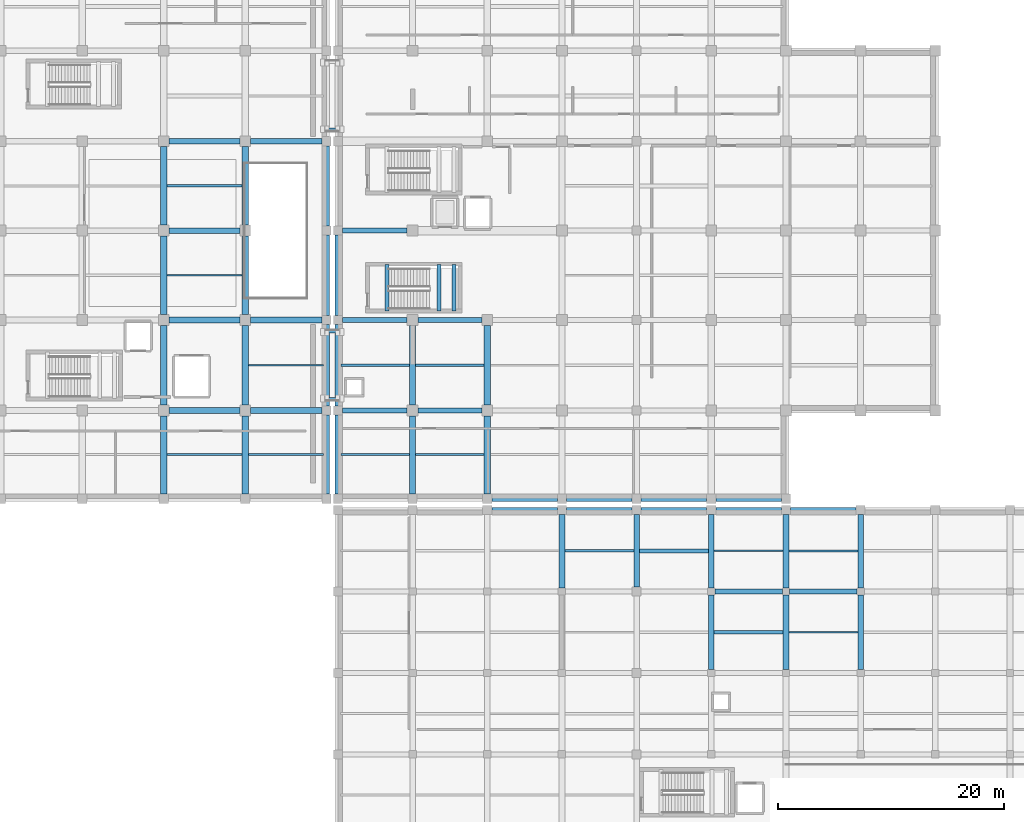
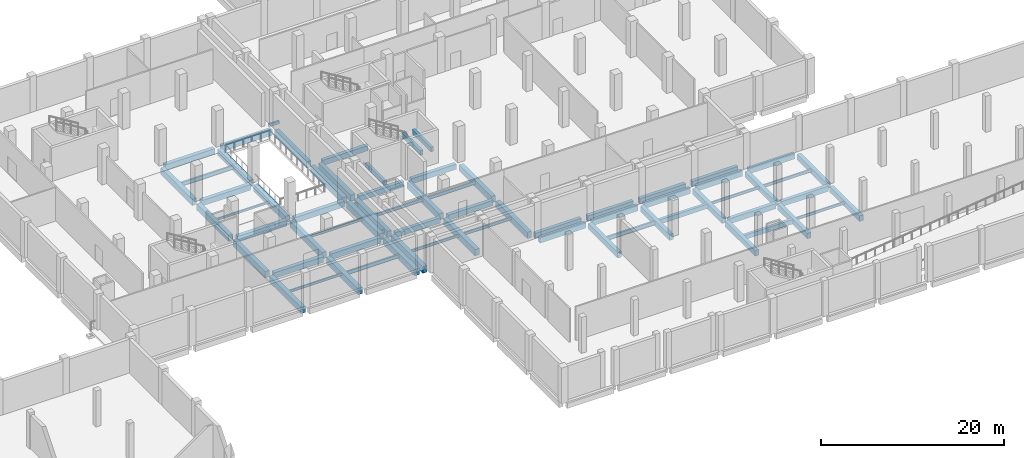
# One storey, part 5 of 31: 71 beams.
"""IFC4 building model written with IfcOpenShell, lengths in metres."""

from ifc_helpers import new_model, si_unit, direction, frame, origin, origin_2d, place, context, subcontext, project, spatial, rectangle, hollow_rectangle, i_section, extrude, material, material_profile, profile_set, type_object, element, save


model = new_model("IFC4")

# Units and contexts
model_context = context("Model", 3, precision=1e-05, world=origin(), true_north=direction((0.0, 1.0)))
body_context = subcontext(model_context, "Body", "Model", "MODEL_VIEW")
ifc_project = project(units=[si_unit("LENGTHUNIT", "METRE"), si_unit("AREAUNIT", "SQUARE_METRE"), si_unit("VOLUMEUNIT", "CUBIC_METRE"), si_unit("PLANEANGLEUNIT", "RADIAN"), si_unit("MASSUNIT", "GRAM", prefix="KILO")], contexts=[model_context])

# Site, building, storey
site_placement = place(None, origin())
site = spatial("IfcSite", under=ifc_project, at=site_placement, CompositionType="ELEMENT")
building_placement = place(site_placement, origin())
building = spatial("IfcBuilding", under=site, at=building_placement, Name="Kelarvand Opera House", CompositionType="ELEMENT")
storey_placement = place(building_placement, frame((0.0, 0.0, -4.800048828125)))
storey = spatial("IfcBuildingStorey", under=building, at=storey_placement, Name="B1", CompositionType="ELEMENT", Elevation=-4.800048828125)

# Beams
ifc_material_1 = material(Name="Concrete C35/45", Category="concrete")
ifc_material_profile_1 = material_profile(ifc_material_1, rectangle(XDim=0.35009765625, YDim=0.60009765625, at=origin_2d()), Name="RC 350x600", Category="concrete")
ifc_profile_set_1 = profile_set([ifc_material_profile_1], Name="Concrete C35/45")
beam_type_1 = type_object("IfcBeamType", Name="Structural Beam RC 350x600 BM-RC350x600", PredefinedType="BEAM", material=ifc_profile_set_1)
for number, where, z_axis, x_axis, name in (
    (1, (115.64990234375, 34.199951171875, -0.599853515625), (1.0, 0.0, 0.0), (0.0, 1.0, 0.0), "V6 B1 Beam BM-RC350x600"),
    (2, (122.25, 27.0, -0.599853515625), (1.0, 0.0, 0.0), (0.0, 1.0, 0.0), "V6 B1 Beam BM-RC350x600"),
):
    element("IfcBeam", number, at=place(storey_placement, frame(where, z_axis=z_axis, x_axis=x_axis)), inside=storey, type_object=beam_type_1, Name=name, PredefinedType="BEAM", context=body_context, shape_type="SweptSolid", body=[
        extrude(rectangle(XDim=0.35009765625, YDim=0.60009765625, at=origin_2d()), origin(), (0.0, 0.0, 1.0), 6.10009765625),
    ])
for number, where, z_axis, x_axis, name in (
    (3, (93.340087890625, 55.39990234375, -0.52001953125), (0.0, 1.0, 0.0), (-1.0, 0.0, 0.0), "C4 Stair Landing Support Beam B1"),
    (4, (97.949951171875, 55.39990234375, 1.900146484375), (0.0, 1.0, 0.0), (-1.0, 0.0, 0.0), "C4 Stair Half-Landing Beam 1 B1"),
    (5, (99.25, 55.39990234375, 1.900146484375), (0.0, 1.0, 0.0), (-1.0, 0.0, 0.0), "C4 Stair Half-Landing Beam 2 B1"),
):
    element("IfcBeam", number, at=place(storey_placement, frame(where, z_axis=z_axis, x_axis=x_axis)), inside=storey, type_object=beam_type_1, Name=name, PredefinedType="BEAM", context=body_context, shape_type="SweptSolid", body=[
        extrude(rectangle(XDim=0.35009765625, YDim=0.60009765625, at=origin_2d()), origin(), (0.0, 0.0, 1.0), 4.10009765625),
    ])
ifc_material_2 = material(Name="Concrete C40/50", Category="concrete")
ifc_material_profile_2 = material_profile(ifc_material_2, rectangle(XDim=0.449951171875, YDim=0.699951171875, at=origin_2d()), Name="RC 450x700", Category="concrete")
ifc_profile_set_2 = profile_set([ifc_material_profile_2], Name="Concrete C40/50")
beam_type_2 = type_object("IfcBeamType", Name="Structural Beam RC 450x700 BM-RC450x700", PredefinedType="BEAM", material=ifc_profile_set_2)
beam_1_placement = place(storey_placement, frame((102.610107421875, 38.800048828125, -0.64990234375), z_axis=(1.0, 0.0, 0.0), x_axis=(0.0, 1.0, 0.0)))
element("IfcBeam", 6, at=beam_1_placement, inside=storey, type_object=beam_type_2, Name="V1 B1 Beam BM-RC450x700", PredefinedType="BEAM", context=body_context, shape_type="SweptSolid", body=[
    extrude(rectangle(XDim=0.449951171875, YDim=0.699951171875, at=origin_2d()), origin(), (0.0, 0.0, 1.0), 5.77978515625),
])
for number, where, z_axis, x_axis, name in (
    (7, (109.2099609375, 38.800048828125, -0.64990234375), (1.0, 0.0, 0.0), (0.0, 1.0, 0.0), "V1 B1 Beam BM-RC450x700"),
    (8, (115.81005859375, 38.800048828125, -0.64990234375), (1.0, 0.0, 0.0), (0.0, 1.0, 0.0), "V1 B1 Beam BM-RC450x700"),
    (9, (122.409912109375, 38.800048828125, -0.64990234375), (1.0, 0.0, 0.0), (0.0, 1.0, 0.0), "V1 B1 Beam BM-RC450x700"),
):
    element("IfcBeam", number, at=place(storey_placement, frame(where, z_axis=z_axis, x_axis=x_axis)), inside=storey, type_object=beam_type_2, Name=name, PredefinedType="BEAM", context=body_context, shape_type="SweptSolid", body=[
        extrude(rectangle(XDim=0.449951171875, YDim=0.699951171875, at=origin_2d()), origin(), (0.0, 0.0, 1.0), 5.780029296875),
    ])
beam_2_placement = place(storey_placement, frame((89.409912109375, 46.60009765625, -0.64990234375), z_axis=(1.0, 0.0, 0.0), x_axis=(0.0, 1.0, 0.0)))
element("IfcBeam", 10, at=beam_2_placement, inside=storey, type_object=beam_type_2, Name="V1 B1 Beam BM-RC450x700", PredefinedType="BEAM", context=body_context, shape_type="SweptSolid", body=[
    extrude(rectangle(XDim=0.449951171875, YDim=0.699951171875, at=origin_2d()), origin(), (0.0, 0.0, 1.0), 5.715087890625),
])
beam_3_placement = place(storey_placement, frame((96.074951171875, 46.60009765625, -0.64990234375), z_axis=(1.0, 0.0, 0.0), x_axis=(0.0, 1.0, 0.0)))
element("IfcBeam", 11, at=beam_3_placement, inside=storey, type_object=beam_type_2, Name="V1 B1 Beam BM-RC450x700", PredefinedType="BEAM", context=body_context, shape_type="SweptSolid", body=[
    extrude(rectangle(XDim=0.449951171875, YDim=0.699951171875, at=origin_2d()), origin(), (0.0, 0.0, 1.0), 5.650146484375),
])
beam_4_placement = place(storey_placement, frame((89.409912109375, 54.60009765625, -0.64990234375), z_axis=(1.0, 0.0, 0.0), x_axis=(0.0, 1.0, 0.0)))
element("IfcBeam", 12, at=beam_4_placement, inside=storey, type_object=beam_type_2, Name="V1 B1 Beam BM-RC450x700", PredefinedType="BEAM", context=body_context, shape_type="SweptSolid", body=[
    extrude(rectangle(XDim=0.449951171875, YDim=0.699951171875, at=origin_2d()), origin(), (0.0, 0.0, 1.0), 5.715087890625),
])
beam_5_placement = place(storey_placement, frame((96.074951171875, 54.60009765625, -0.64990234375), z_axis=(1.0, 0.0, 0.0), x_axis=(0.0, 1.0, 0.0)))
element("IfcBeam", 13, at=beam_5_placement, inside=storey, type_object=beam_type_2, Name="V1 B1 Beam BM-RC450x700", PredefinedType="BEAM", context=body_context, shape_type="SweptSolid", body=[
    extrude(rectangle(XDim=0.449951171875, YDim=0.699951171875, at=origin_2d()), origin(), (0.0, 0.0, 1.0), 5.650146484375),
])
beam_6_placement = place(storey_placement, frame((89.409912109375, 62.5, -0.64990234375), z_axis=(1.0, 0.0, 0.0), x_axis=(0.0, 1.0, 0.0)))
element("IfcBeam", 14, at=beam_6_placement, inside=storey, type_object=beam_type_2, Name="V1 B1 Beam BM-RC450x700", PredefinedType="BEAM", context=body_context, shape_type="SweptSolid", body=[
    extrude(rectangle(XDim=0.449951171875, YDim=0.699951171875, at=origin_2d()), origin(), (0.0, 0.0, 1.0), 5.715087890625),
])
for number, where, z_axis, x_axis, name in (
    (15, (122.324951171875, 30.60009765625, -0.64990234375), (1.0, 0.0, 0.0), (0.0, 1.0, 0.0), "V6 B1 Beam BM-RC450x700"),
    (16, (128.925048828125, 30.60009765625, -0.64990234375), (1.0, 0.0, 0.0), (0.0, 1.0, 0.0), "V6 B1 Beam BM-RC450x700"),
):
    element("IfcBeam", number, at=place(storey_placement, frame(where, z_axis=z_axis, x_axis=x_axis)), inside=storey, type_object=beam_type_2, Name=name, PredefinedType="BEAM", context=body_context, shape_type="SweptSolid", body=[
        extrude(rectangle(XDim=0.449951171875, YDim=0.699951171875, at=origin_2d()), origin(), (0.0, 0.0, 1.0), 5.949951171875),
    ])
beam_7_placement = place(storey_placement, frame((102.610107421875, 37.800048828125, -0.64990234375), z_axis=(1.0, 0.0, 0.0), x_axis=(0.0, 1.0, 0.0)))
element("IfcBeam", 17, at=beam_7_placement, inside=storey, type_object=beam_type_2, Name="V6 B1 Beam BM-RC450x700", PredefinedType="BEAM", context=body_context, shape_type="SweptSolid", body=[
    extrude(rectangle(XDim=0.449951171875, YDim=0.699951171875, at=origin_2d()), origin(), (0.0, 0.0, 1.0), 5.77978515625),
])
for number, where, z_axis, x_axis, name in (
    (18, (109.2099609375, 37.800048828125, -0.64990234375), (1.0, 0.0, 0.0), (0.0, 1.0, 0.0), "V6 B1 Beam BM-RC450x700"),
    (19, (115.81005859375, 37.800048828125, -0.64990234375), (1.0, 0.0, 0.0), (0.0, 1.0, 0.0), "V6 B1 Beam BM-RC450x700"),
    (20, (122.409912109375, 37.800048828125, -0.64990234375), (1.0, 0.0, 0.0), (0.0, 1.0, 0.0), "V6 B1 Beam BM-RC450x700"),
    (21, (129.010009765625, 37.800048828125, -0.64990234375), (1.0, 0.0, 0.0), (0.0, 1.0, 0.0), "V6 B1 Beam BM-RC450x700"),
):
    element("IfcBeam", number, at=place(storey_placement, frame(where, z_axis=z_axis, x_axis=x_axis)), inside=storey, type_object=beam_type_2, Name=name, PredefinedType="BEAM", context=body_context, shape_type="SweptSolid", body=[
        extrude(rectangle(XDim=0.449951171875, YDim=0.699951171875, at=origin_2d()), origin(), (0.0, 0.0, 1.0), 5.780029296875),
    ])
ifc_material_profile_3 = material_profile(ifc_material_2, rectangle(XDim=0.5, YDim=0.75, at=origin_2d()), Name="RC 500x750", Category="concrete")
ifc_profile_set_3 = profile_set([ifc_material_profile_3], Name="Concrete C40/50")
beam_type_3 = type_object("IfcBeamType", Name="Structural Beam RC 500x750 BM-RC500x750", PredefinedType="BEAM", material=ifc_profile_set_3)
beam_8_placement = place(storey_placement, frame((74.074951171875, 46.60009765625, -0.675048828125), z_axis=(1.0, 0.0, 0.0), x_axis=(0.0, 1.0, 0.0)))
element("IfcBeam", 22, at=beam_8_placement, inside=storey, type_object=beam_type_3, Name="V2 B1 Beam BM-RC500x750", PredefinedType="BEAM", context=body_context, shape_type="SweptSolid", body=[
    extrude(rectangle(XDim=0.5, YDim=0.75, at=origin_2d()), origin(), (0.0, 0.0, 1.0), 6.25),
])
beam_9_placement = place(storey_placement, frame((81.27490234375, 46.60009765625, -0.675048828125), z_axis=(1.0, 0.0, 0.0), x_axis=(0.0, 1.0, 0.0)))
element("IfcBeam", 23, at=beam_9_placement, inside=storey, type_object=beam_type_3, Name="V2 B1 Beam BM-RC500x750", PredefinedType="BEAM", context=body_context, shape_type="SweptSolid", body=[
    extrude(rectangle(XDim=0.5, YDim=0.75, at=origin_2d()), origin(), (0.0, 0.0, 1.0), 6.315185546875),
])
beam_10_placement = place(storey_placement, frame((74.074951171875, 54.60009765625, -0.675048828125), z_axis=(1.0, 0.0, 0.0), x_axis=(0.0, 1.0, 0.0)))
element("IfcBeam", 24, at=beam_10_placement, inside=storey, type_object=beam_type_3, Name="V2 B1 Beam BM-RC500x750", PredefinedType="BEAM", context=body_context, shape_type="SweptSolid", body=[
    extrude(rectangle(XDim=0.5, YDim=0.75, at=origin_2d()), origin(), (0.0, 0.0, 1.0), 6.25),
])
beam_11_placement = place(storey_placement, frame((81.27490234375, 54.60009765625, -0.675048828125), z_axis=(1.0, 0.0, 0.0), x_axis=(0.0, 1.0, 0.0)))
element("IfcBeam", 25, at=beam_11_placement, inside=storey, type_object=beam_type_3, Name="V2 B1 Beam BM-RC500x750", PredefinedType="BEAM", context=body_context, shape_type="SweptSolid", body=[
    extrude(rectangle(XDim=0.5, YDim=0.75, at=origin_2d()), origin(), (0.0, 0.0, 1.0), 6.315185546875),
])
for number, where, z_axis, x_axis, name in (
    (26, (74.074951171875, 62.5, -0.675048828125), (1.0, 0.0, 0.0), (0.0, 1.0, 0.0), "V2 B1 Beam BM-RC500x750"),
    (27, (74.074951171875, 70.39990234375, -0.675048828125), (1.0, 0.0, 0.0), (0.0, 1.0, 0.0), "V2 B1 Beam BM-RC500x750"),
):
    element("IfcBeam", number, at=place(storey_placement, frame(where, z_axis=z_axis, x_axis=x_axis)), inside=storey, type_object=beam_type_3, Name=name, PredefinedType="BEAM", context=body_context, shape_type="SweptSolid", body=[
        extrude(rectangle(XDim=0.5, YDim=0.75, at=origin_2d()), origin(), (0.0, 0.0, 1.0), 6.25),
    ])
beam_12_placement = place(storey_placement, frame((81.27490234375, 70.39990234375, -0.675048828125), z_axis=(1.0, 0.0, 0.0), x_axis=(0.0, 1.0, 0.0)))
element("IfcBeam", 28, at=beam_12_placement, inside=storey, type_object=beam_type_3, Name="V2 B1 Beam BM-RC500x750", PredefinedType="BEAM", context=body_context, shape_type="SweptSolid", body=[
    extrude(rectangle(XDim=0.5, YDim=0.75, at=origin_2d()), origin(), (0.0, 0.0, 1.0), 6.315185546875),
])
beam_13_placement = place(storey_placement, frame((108.800048828125, 30.925048828125, -0.675048828125), z_axis=(0.0, 1.0, 0.0), x_axis=(-1.0, 0.0, 0.0)))
element("IfcBeam", 29, at=beam_13_placement, inside=storey, type_object=beam_type_3, Name="V6 B1 Beam BM-RC500x750", PredefinedType="BEAM", context=body_context, shape_type="SweptSolid", body=[
    extrude(rectangle(XDim=0.5, YDim=0.75, at=origin_2d()), origin(), (0.0, 0.0, 1.0), 6.46484375),
])
beam_14_placement = place(storey_placement, frame((115.39990234375, 31.010009765625, -0.675048828125), z_axis=(0.0, 1.0, 0.0), x_axis=(-1.0, 0.0, 0.0)))
element("IfcBeam", 30, at=beam_14_placement, inside=storey, type_object=beam_type_3, Name="V6 B1 Beam BM-RC500x750", PredefinedType="BEAM", context=body_context, shape_type="SweptSolid", body=[
    extrude(rectangle(XDim=0.5, YDim=0.75, at=origin_2d()), origin(), (0.0, 0.0, 1.0), 6.3798828125),
])
beam_15_placement = place(storey_placement, frame((122.0, 23.72509765625, -0.675048828125), z_axis=(0.0, 1.0, 0.0), x_axis=(-1.0, 0.0, 0.0)))
element("IfcBeam", 31, at=beam_15_placement, inside=storey, type_object=beam_type_3, Name="V6 B1 Beam BM-RC500x750", PredefinedType="BEAM", context=body_context, shape_type="SweptSolid", body=[
    extrude(rectangle(XDim=0.5, YDim=0.75, at=origin_2d()), origin(), (0.0, 0.0, 1.0), 6.5498046875),
])
beam_16_placement = place(storey_placement, frame((122.0, 30.925048828125, -0.675048828125), z_axis=(0.0, 1.0, 0.0), x_axis=(-1.0, 0.0, 0.0)))
element("IfcBeam", 32, at=beam_16_placement, inside=storey, type_object=beam_type_3, Name="V6 B1 Beam BM-RC500x750", PredefinedType="BEAM", context=body_context, shape_type="SweptSolid", body=[
    extrude(rectangle(XDim=0.5, YDim=0.75, at=origin_2d()), origin(), (0.0, 0.0, 1.0), 6.46484375),
])
beam_17_placement = place(storey_placement, frame((128.60009765625, 23.72509765625, -0.675048828125), z_axis=(0.0, 1.0, 0.0), x_axis=(-1.0, 0.0, 0.0)))
element("IfcBeam", 33, at=beam_17_placement, inside=storey, type_object=beam_type_3, Name="V6 B1 Beam BM-RC500x750", PredefinedType="BEAM", context=body_context, shape_type="SweptSolid", body=[
    extrude(rectangle(XDim=0.5, YDim=0.75, at=origin_2d()), origin(), (0.0, 0.0, 1.0), 6.5498046875),
])
beam_18_placement = place(storey_placement, frame((128.60009765625, 30.925048828125, -0.675048828125), z_axis=(0.0, 1.0, 0.0), x_axis=(-1.0, 0.0, 0.0)))
element("IfcBeam", 34, at=beam_18_placement, inside=storey, type_object=beam_type_3, Name="V6 B1 Beam BM-RC500x750", PredefinedType="BEAM", context=body_context, shape_type="SweptSolid", body=[
    extrude(rectangle(XDim=0.5, YDim=0.75, at=origin_2d()), origin(), (0.0, 0.0, 1.0), 6.46484375),
])
beam_19_placement = place(storey_placement, frame((135.199951171875, 23.72509765625, -0.675048828125), z_axis=(0.0, 1.0, 0.0), x_axis=(-1.0, 0.0, 0.0)))
element("IfcBeam", 35, at=beam_19_placement, inside=storey, type_object=beam_type_3, Name="V6 B1 Beam BM-RC500x750", PredefinedType="BEAM", context=body_context, shape_type="SweptSolid", body=[
    extrude(rectangle(XDim=0.5, YDim=0.75, at=origin_2d()), origin(), (0.0, 0.0, 1.0), 6.5498046875),
])
beam_20_placement = place(storey_placement, frame((135.199951171875, 30.925048828125, -0.675048828125), z_axis=(0.0, 1.0, 0.0), x_axis=(-1.0, 0.0, 0.0)))
element("IfcBeam", 36, at=beam_20_placement, inside=storey, type_object=beam_type_3, Name="V6 B1 Beam BM-RC500x750", PredefinedType="BEAM", context=body_context, shape_type="SweptSolid", body=[
    extrude(rectangle(XDim=0.5, YDim=0.75, at=origin_2d()), origin(), (0.0, 0.0, 1.0), 6.46484375),
])
ifc_material_profile_4 = material_profile(ifc_material_2, rectangle(XDim=0.550048828125, YDim=0.85009765625, at=origin_2d()), Name="RC 550x850", Category="concrete")
ifc_profile_set_4 = profile_set([ifc_material_profile_4], Name="Concrete C40/50")
beam_type_4 = type_object("IfcBeamType", Name="Structural Beam RC 550x850 BM-RC550x850", PredefinedType="BEAM", material=ifc_profile_set_4)
beam_21_placement = place(storey_placement, frame((89.0, 39.2099609375, -0.724853515625), z_axis=(0.0, 1.0, 0.0), x_axis=(-1.0, 0.0, 0.0)))
element("IfcBeam", 37, at=beam_21_placement, inside=storey, type_object=beam_type_4, Name="V1 B1 Beam BM-RC550x850", PredefinedType="BEAM", context=body_context, shape_type="SweptSolid", body=[
    extrude(rectangle(XDim=0.550048828125, YDim=0.85009765625, at=origin_2d()), origin(), (0.0, 0.0, 1.0), 6.97998046875),
])
beam_22_placement = place(storey_placement, frame((89.0, 47.010009765625, -0.724853515625), z_axis=(0.0, 1.0, 0.0), x_axis=(-1.0, 0.0, 0.0)))
element("IfcBeam", 38, at=beam_22_placement, inside=storey, type_object=beam_type_4, Name="V1 B1 Beam BM-RC550x850", PredefinedType="BEAM", context=body_context, shape_type="SweptSolid", body=[
    extrude(rectangle(XDim=0.550048828125, YDim=0.85009765625, at=origin_2d()), origin(), (0.0, 0.0, 1.0), 7.179931640625),
])
beam_23_placement = place(storey_placement, frame((89.0, 55.010009765625, -0.724853515625), z_axis=(0.0, 1.0, 0.0), x_axis=(-1.0, 0.0, 0.0)))
element("IfcBeam", 39, at=beam_23_placement, inside=storey, type_object=beam_type_4, Name="V1 B1 Beam BM-RC550x850", PredefinedType="BEAM", context=body_context, shape_type="SweptSolid", body=[
    extrude(rectangle(XDim=0.550048828125, YDim=0.85009765625, at=origin_2d()), origin(), (0.0, 0.0, 1.0), 7.080078125),
])
beam_24_placement = place(storey_placement, frame((95.60009765625, 39.2099609375, -0.724853515625), z_axis=(0.0, 1.0, 0.0), x_axis=(-1.0, 0.0, 0.0)))
element("IfcBeam", 40, at=beam_24_placement, inside=storey, type_object=beam_type_4, Name="V1 B1 Beam BM-RC550x850", PredefinedType="BEAM", context=body_context, shape_type="SweptSolid", body=[
    extrude(rectangle(XDim=0.550048828125, YDim=0.85009765625, at=origin_2d()), origin(), (0.0, 0.0, 1.0), 6.9150390625),
])
beam_25_placement = place(storey_placement, frame((95.60009765625, 47.074951171875, -0.724853515625), z_axis=(0.0, 1.0, 0.0), x_axis=(-1.0, 0.0, 0.0)))
element("IfcBeam", 41, at=beam_25_placement, inside=storey, type_object=beam_type_4, Name="V1 B1 Beam BM-RC550x850", PredefinedType="BEAM", context=body_context, shape_type="SweptSolid", body=[
    extrude(rectangle(XDim=0.550048828125, YDim=0.85009765625, at=origin_2d()), origin(), (0.0, 0.0, 1.0), 7.050048828125),
])
beam_26_placement = place(storey_placement, frame((102.199951171875, 39.2099609375, -0.724853515625), z_axis=(0.0, 1.0, 0.0), x_axis=(-1.0, 0.0, 0.0)))
element("IfcBeam", 42, at=beam_26_placement, inside=storey, type_object=beam_type_4, Name="V1 B1 Beam BM-RC550x850", PredefinedType="BEAM", context=body_context, shape_type="SweptSolid", body=[
    extrude(rectangle(XDim=0.550048828125, YDim=0.85009765625, at=origin_2d()), origin(), (0.0, 0.0, 1.0), 6.9150390625),
])
beam_27_placement = place(storey_placement, frame((102.199951171875, 47.074951171875, -0.724853515625), z_axis=(0.0, 1.0, 0.0), x_axis=(-1.0, 0.0, 0.0)))
element("IfcBeam", 43, at=beam_27_placement, inside=storey, type_object=beam_type_4, Name="V1 B1 Beam BM-RC550x850", PredefinedType="BEAM", context=body_context, shape_type="SweptSolid", body=[
    extrude(rectangle(XDim=0.550048828125, YDim=0.85009765625, at=origin_2d()), origin(), (0.0, 0.0, 1.0), 7.050048828125),
])
beam_28_placement = place(storey_placement, frame((73.60009765625, 39.2099609375, -0.724853515625), z_axis=(0.0, 1.0, 0.0), x_axis=(-1.0, 0.0, 0.0)))
element("IfcBeam", 44, at=beam_28_placement, inside=storey, type_object=beam_type_4, Name="V2 B1 Beam BM-RC550x850", PredefinedType="BEAM", context=body_context, shape_type="SweptSolid", body=[
    extrude(rectangle(XDim=0.550048828125, YDim=0.85009765625, at=origin_2d()), origin(), (0.0, 0.0, 1.0), 6.9150390625),
])
beam_29_placement = place(storey_placement, frame((73.60009765625, 47.074951171875, -0.724853515625), z_axis=(0.0, 1.0, 0.0), x_axis=(-1.0, 0.0, 0.0)))
element("IfcBeam", 45, at=beam_29_placement, inside=storey, type_object=beam_type_4, Name="V2 B1 Beam BM-RC550x850", PredefinedType="BEAM", context=body_context, shape_type="SweptSolid", body=[
    extrude(rectangle(XDim=0.550048828125, YDim=0.85009765625, at=origin_2d()), origin(), (0.0, 0.0, 1.0), 7.050048828125),
])
for number, where, z_axis, x_axis, name in (
    (46, (73.60009765625, 55.074951171875, -0.724853515625), (0.0, 1.0, 0.0), (-1.0, 0.0, 0.0), "V2 B1 Beam BM-RC550x850"),
    (47, (73.60009765625, 62.97509765625, -0.724853515625), (0.0, 1.0, 0.0), (-1.0, 0.0, 0.0), "V2 B1 Beam BM-RC550x850"),
):
    element("IfcBeam", number, at=place(storey_placement, frame(where, z_axis=z_axis, x_axis=x_axis)), inside=storey, type_object=beam_type_4, Name=name, PredefinedType="BEAM", context=body_context, shape_type="SweptSolid", body=[
        extrude(rectangle(XDim=0.550048828125, YDim=0.85009765625, at=origin_2d()), origin(), (0.0, 0.0, 1.0), 6.949951171875),
    ])
beam_30_placement = place(storey_placement, frame((80.800048828125, 39.2099609375, -0.724853515625), z_axis=(0.0, 1.0, 0.0), x_axis=(-1.0, 0.0, 0.0)))
element("IfcBeam", 48, at=beam_30_placement, inside=storey, type_object=beam_type_4, Name="V2 B1 Beam BM-RC550x850", PredefinedType="BEAM", context=body_context, shape_type="SweptSolid", body=[
    extrude(rectangle(XDim=0.550048828125, YDim=0.85009765625, at=origin_2d()), origin(), (0.0, 0.0, 1.0), 6.9150390625),
])
beam_31_placement = place(storey_placement, frame((80.800048828125, 47.074951171875, -0.724853515625), z_axis=(0.0, 1.0, 0.0), x_axis=(-1.0, 0.0, 0.0)))
element("IfcBeam", 49, at=beam_31_placement, inside=storey, type_object=beam_type_4, Name="V2 B1 Beam BM-RC550x850", PredefinedType="BEAM", context=body_context, shape_type="SweptSolid", body=[
    extrude(rectangle(XDim=0.550048828125, YDim=0.85009765625, at=origin_2d()), origin(), (0.0, 0.0, 1.0), 7.050048828125),
])
for number, where, z_axis, x_axis, name in (
    (50, (80.800048828125, 55.074951171875, -0.724853515625), (0.0, 1.0, 0.0), (-1.0, 0.0, 0.0), "V2 B1 Beam BM-RC550x850"),
    (51, (80.800048828125, 62.97509765625, -0.724853515625), (0.0, 1.0, 0.0), (-1.0, 0.0, 0.0), "V2 B1 Beam BM-RC550x850"),
):
    element("IfcBeam", number, at=place(storey_placement, frame(where, z_axis=z_axis, x_axis=x_axis)), inside=storey, type_object=beam_type_4, Name=name, PredefinedType="BEAM", context=body_context, shape_type="SweptSolid", body=[
        extrude(rectangle(XDim=0.550048828125, YDim=0.85009765625, at=origin_2d()), origin(), (0.0, 0.0, 1.0), 6.949951171875),
    ])
beam_32_placement = place(storey_placement, frame((88.0, 39.2099609375, -0.724853515625), z_axis=(0.0, 1.0, 0.0), x_axis=(-1.0, 0.0, 0.0)))
element("IfcBeam", 52, at=beam_32_placement, inside=storey, type_object=beam_type_4, Name="V2 B1 Beam BM-RC550x850", PredefinedType="BEAM", context=body_context, shape_type="SweptSolid", body=[
    extrude(rectangle(XDim=0.550048828125, YDim=0.85009765625, at=origin_2d()), origin(), (0.0, 0.0, 1.0), 6.97998046875),
])
beam_33_placement = place(storey_placement, frame((88.0, 47.010009765625, -0.724853515625), z_axis=(0.0, 1.0, 0.0), x_axis=(-1.0, 0.0, 0.0)))
element("IfcBeam", 53, at=beam_33_placement, inside=storey, type_object=beam_type_4, Name="V2 B1 Beam BM-RC550x850", PredefinedType="BEAM", context=body_context, shape_type="SweptSolid", body=[
    extrude(rectangle(XDim=0.550048828125, YDim=0.85009765625, at=origin_2d()), origin(), (0.0, 0.0, 1.0), 7.179931640625),
])
for number, where, z_axis, x_axis, name in (
    (54, (88.0, 55.010009765625, -0.724853515625), (0.0, 1.0, 0.0), (-1.0, 0.0, 0.0), "V2 B1 Beam BM-RC550x850"),
    (55, (88.0, 62.909912109375, -0.724853515625), (0.0, 1.0, 0.0), (-1.0, 0.0, 0.0), "V2 B1 Beam BM-RC550x850"),
):
    element("IfcBeam", number, at=place(storey_placement, frame(where, z_axis=z_axis, x_axis=x_axis)), inside=storey, type_object=beam_type_4, Name=name, PredefinedType="BEAM", context=body_context, shape_type="SweptSolid", body=[
        extrude(rectangle(XDim=0.550048828125, YDim=0.85009765625, at=origin_2d()), origin(), (0.0, 0.0, 1.0), 7.080078125),
    ])
ifc_material_3 = material(Name="Steel S355", Category="steel")
ifc_material_profile_5 = material_profile(ifc_material_3, hollow_rectangle(XDim=0.199951171875, YDim=0.39990234375, WallThickness=0.01611328125, at=origin_2d()), Name="RHS 400x200x16.0", Category="steel")
ifc_profile_set_5 = profile_set([ifc_material_profile_5], Name="Steel S355")
beam_type_5 = type_object("IfcBeamType", Name="Structural Beam RHS 400x200x16.0 BM-RHS400", PredefinedType="BEAM", material=ifc_profile_set_5)
for number, where, z_axis, x_axis, name in (
    (56, (87.85009765625, 71.449951171875, -0.599853515625), (1.0, 0.0, 0.0), (0.0, 1.0, 0.0), "Seismic Sliding Corbel Beam BR-JP-N B1 1"),
    (57, (87.85009765625, 47.64990234375, -0.599853515625), (1.0, 0.0, 0.0), (0.0, 1.0, 0.0), "Seismic Sliding Corbel Beam BR-JP-S B1 1"),
    (58, (87.85009765625, 53.550048828125, -0.599853515625), (1.0, 0.0, 0.0), (0.0, 1.0, 0.0), "Seismic Sliding Corbel Beam BR-JP-S B1 2"),
):
    element("IfcBeam", number, at=place(storey_placement, frame(where, z_axis=z_axis, x_axis=x_axis)), inside=storey, type_object=beam_type_5, Name=name, PredefinedType="BEAM", context=body_context, shape_type="SweptSolid", body=[
        extrude(hollow_rectangle(XDim=0.199951171875, YDim=0.39990234375, WallThickness=0.01611328125, at=origin_2d()), origin(), (0.0, 0.0, 1.0), 1.2998046875),
    ])
ifc_material_profile_6 = material_profile(ifc_material_3, i_section(OverallWidth=0.14990234375, OverallDepth=0.300048828125, WebThickness=0.007080078125, FlangeThickness=0.0107421875, at=origin_2d()), Name="IPE 300", Category="steel")
ifc_profile_set_6 = profile_set([ifc_material_profile_6], Name="Steel S355")
beam_type_6 = type_object("IfcBeamType", Name="Structural Joist IPE 300 JS-IPE300", PredefinedType="JOIST", material=ifc_profile_set_6)
beam_34_placement = place(storey_placement, frame((73.875, 58.550048828125, -0.449951171875), z_axis=(1.0, 0.0, 0.0), x_axis=(0.0, 1.0, 0.0)))
element("IfcBeam", 59, at=beam_34_placement, inside=storey, type_object=beam_type_6, Name="V2 B1 Beam JS-IPE300", PredefinedType="JOIST", context=body_context, shape_type="SweptSolid", body=[
    extrude(i_section(OverallWidth=0.14990234375, OverallDepth=0.300048828125, WebThickness=0.007080078125, FlangeThickness=0.0107421875, at=origin_2d()), origin(), (0.0, 0.0, 1.0), 6.64990234375),
])
beam_35_placement = place(storey_placement, frame((81.074951171875, 50.60009765625, -0.449951171875), z_axis=(1.0, 0.0, 0.0), x_axis=(0.0, 1.0, 0.0)))
element("IfcBeam", 60, at=beam_35_placement, inside=storey, type_object=beam_type_6, Name="V2 B1 Beam JS-IPE300", PredefinedType="JOIST", context=body_context, shape_type="SweptSolid", body=[
    extrude(i_section(OverallWidth=0.14990234375, OverallDepth=0.300048828125, WebThickness=0.007080078125, FlangeThickness=0.0107421875, at=origin_2d()), origin(), (0.0, 0.0, 1.0), 6.650146484375),
])
ifc_material_profile_7 = material_profile(ifc_material_3, i_section(OverallWidth=0.159912109375, OverallDepth=0.330078125, WebThickness=0.007568359375, FlangeThickness=0.011474609375, at=origin_2d()), Name="IPE 330", Category="steel")
ifc_profile_set_7 = profile_set([ifc_material_profile_7], Name="Steel S355")
beam_type_7 = type_object("IfcBeamType", Name="Structural Joist IPE 330 JS-IPE330", PredefinedType="JOIST", material=ifc_profile_set_7)
beam_36_placement = place(storey_placement, frame((73.875, 42.699951171875, -0.46484375), z_axis=(1.0, 0.0, 0.0), x_axis=(0.0, 1.0, 0.0)))
element("IfcBeam", 61, at=beam_36_placement, inside=storey, type_object=beam_type_7, Name="V2 B1 Beam JS-IPE330", PredefinedType="JOIST", context=body_context, shape_type="SweptSolid", body=[
    extrude(i_section(OverallWidth=0.159912109375, OverallDepth=0.330078125, WebThickness=0.007568359375, FlangeThickness=0.011474609375, at=origin_2d()), origin(), (0.0, 0.0, 1.0), 6.64990234375),
])
ifc_material_profile_8 = material_profile(ifc_material_3, i_section(OverallWidth=0.169921875, OverallDepth=0.360107421875, WebThickness=0.008056640625, FlangeThickness=0.0126953125, at=origin_2d()), Name="IPE 360", Category="steel")
ifc_profile_set_8 = profile_set([ifc_material_profile_8], Name="Steel S355")
beam_type_8 = type_object("IfcBeamType", Name="Structural Joist IPE 360 JS-IPE360", PredefinedType="JOIST", material=ifc_profile_set_8)
beam_37_placement = place(storey_placement, frame((89.27490234375, 42.699951171875, -0.47998046875), z_axis=(1.0, 0.0, 0.0), x_axis=(0.0, 1.0, 0.0)))
element("IfcBeam", 62, at=beam_37_placement, inside=storey, type_object=beam_type_8, Name="V1 B1 Beam JS-IPE360", PredefinedType="JOIST", context=body_context, shape_type="SweptSolid", body=[
    extrude(i_section(OverallWidth=0.169921875, OverallDepth=0.360107421875, WebThickness=0.008056640625, FlangeThickness=0.0126953125, at=origin_2d()), origin(), (0.0, 0.0, 1.0), 6.050048828125),
])
beam_38_placement = place(storey_placement, frame((122.25, 34.199951171875, -0.47998046875), z_axis=(1.0, 0.0, 0.0), x_axis=(0.0, 1.0, 0.0)))
element("IfcBeam", 63, at=beam_38_placement, inside=storey, type_object=beam_type_8, Name="V6 B1 Beam JS-IPE360", PredefinedType="JOIST", context=body_context, shape_type="SweptSolid", body=[
    extrude(i_section(OverallWidth=0.169921875, OverallDepth=0.360107421875, WebThickness=0.008056640625, FlangeThickness=0.0126953125, at=origin_2d()), origin(), (0.0, 0.0, 1.0), 6.10009765625),
])
beam_39_placement = place(storey_placement, frame((128.85009765625, 27.0, -0.47998046875), z_axis=(1.0, 0.0, 0.0), x_axis=(0.0, 1.0, 0.0)))
element("IfcBeam", 64, at=beam_39_placement, inside=storey, type_object=beam_type_8, Name="V6 B1 Beam JS-IPE360", PredefinedType="JOIST", context=body_context, shape_type="SweptSolid", body=[
    extrude(i_section(OverallWidth=0.169921875, OverallDepth=0.360107421875, WebThickness=0.008056640625, FlangeThickness=0.0126953125, at=origin_2d()), origin(), (0.0, 0.0, 1.0), 6.099853515625),
])
ifc_material_profile_9 = material_profile(ifc_material_3, i_section(OverallWidth=0.179931640625, OverallDepth=0.39990234375, WebThickness=0.008544921875, FlangeThickness=0.013427734375, at=origin_2d()), Name="IPE 400", Category="steel")
ifc_profile_set_9 = profile_set([ifc_material_profile_9], Name="Steel S355")
beam_type_9 = type_object("IfcBeamType", Name="Structural Joist IPE 400 JS-IPE400", PredefinedType="JOIST", material=ifc_profile_set_9)
for number, where, z_axis, x_axis, name in (
    (65, (89.27490234375, 50.60009765625, -0.5), (1.0, 0.0, 0.0), (0.0, 1.0, 0.0), "V1 B1 Beam JS-IPE400"),
    (66, (95.875, 42.699951171875, -0.5), (1.0, 0.0, 0.0), (0.0, 1.0, 0.0), "V1 B1 Beam JS-IPE400"),
):
    element("IfcBeam", number, at=place(storey_placement, frame(where, z_axis=z_axis, x_axis=x_axis)), inside=storey, type_object=beam_type_9, Name=name, PredefinedType="JOIST", context=body_context, shape_type="SweptSolid", body=[
        extrude(i_section(OverallWidth=0.179931640625, OverallDepth=0.39990234375, WebThickness=0.008544921875, FlangeThickness=0.013427734375, at=origin_2d()), origin(), (0.0, 0.0, 1.0), 6.050048828125),
    ])
beam_40_placement = place(storey_placement, frame((128.85009765625, 34.199951171875, -0.5), z_axis=(1.0, 0.0, 0.0), x_axis=(0.0, 1.0, 0.0)))
element("IfcBeam", 67, at=beam_40_placement, inside=storey, type_object=beam_type_9, Name="V6 B1 Beam JS-IPE400", PredefinedType="JOIST", context=body_context, shape_type="SweptSolid", body=[
    extrude(i_section(OverallWidth=0.179931640625, OverallDepth=0.39990234375, WebThickness=0.008544921875, FlangeThickness=0.013427734375, at=origin_2d()), origin(), (0.0, 0.0, 1.0), 6.099853515625),
])
ifc_material_profile_10 = material_profile(ifc_material_3, i_section(OverallWidth=0.18994140625, OverallDepth=0.449951171875, WebThickness=0.009521484375, FlangeThickness=0.0146484375, at=origin_2d()), Name="IPE 450", Category="steel")
ifc_profile_set_10 = profile_set([ifc_material_profile_10], Name="Steel S355")
beam_type_10 = type_object("IfcBeamType", Name="Structural Joist IPE 450 JS-IPE450", PredefinedType="JOIST", material=ifc_profile_set_10)
beam_41_placement = place(storey_placement, frame((95.875, 50.60009765625, -0.52490234375), z_axis=(1.0, 0.0, 0.0), x_axis=(0.0, 1.0, 0.0)))
element("IfcBeam", 68, at=beam_41_placement, inside=storey, type_object=beam_type_10, Name="V1 B1 Beam JS-IPE450", PredefinedType="JOIST", context=body_context, shape_type="SweptSolid", body=[
    extrude(i_section(OverallWidth=0.18994140625, OverallDepth=0.449951171875, WebThickness=0.009521484375, FlangeThickness=0.0146484375, at=origin_2d()), origin(), (0.0, 0.0, 1.0), 6.050048828125),
])
ifc_material_profile_11 = material_profile(ifc_material_3, i_section(OverallWidth=0.199951171875, OverallDepth=0.5, WebThickness=0.01025390625, FlangeThickness=0.01611328125, at=origin_2d()), Name="IPE 500", Category="steel")
ifc_profile_set_11 = profile_set([ifc_material_profile_11], Name="Steel S355")
beam_type_11 = type_object("IfcBeamType", Name="Structural Joist IPE 500 JS-IPE500", PredefinedType="JOIST", material=ifc_profile_set_11)
beam_42_placement = place(storey_placement, frame((81.074951171875, 42.699951171875, -0.550048828125), z_axis=(1.0, 0.0, 0.0), x_axis=(0.0, 1.0, 0.0)))
element("IfcBeam", 69, at=beam_42_placement, inside=storey, type_object=beam_type_11, Name="V2 B1 Beam JS-IPE500", PredefinedType="JOIST", context=body_context, shape_type="SweptSolid", body=[
    extrude(i_section(OverallWidth=0.199951171875, OverallDepth=0.5, WebThickness=0.01025390625, FlangeThickness=0.01611328125, at=origin_2d()), origin(), (0.0, 0.0, 1.0), 6.650146484375),
])
ifc_material_profile_12 = material_profile(ifc_material_3, i_section(OverallWidth=0.2099609375, OverallDepth=0.550048828125, WebThickness=0.010986328125, FlangeThickness=0.01708984375, at=origin_2d()), Name="IPE 550", Category="steel")
ifc_profile_set_12 = profile_set([ifc_material_profile_12], Name="Steel S355")
beam_type_12 = type_object("IfcBeamType", Name="Structural Joist IPE 550 JS-IPE550", PredefinedType="JOIST", material=ifc_profile_set_12)
beam_43_placement = place(storey_placement, frame((73.875, 66.449951171875, -0.574951171875), z_axis=(1.0, 0.0, 0.0), x_axis=(0.0, 1.0, 0.0)))
element("IfcBeam", 70, at=beam_43_placement, inside=storey, type_object=beam_type_12, Name="V2 B1 Beam JS-IPE550", PredefinedType="JOIST", context=body_context, shape_type="SweptSolid", body=[
    extrude(i_section(OverallWidth=0.2099609375, OverallDepth=0.550048828125, WebThickness=0.010986328125, FlangeThickness=0.01708984375, at=origin_2d()), origin(), (0.0, 0.0, 1.0), 6.64990234375),
])
beam_44_placement = place(storey_placement, frame((109.050048828125, 34.199951171875, -0.574951171875), z_axis=(1.0, 0.0, 0.0), x_axis=(0.0, 1.0, 0.0)))
element("IfcBeam", 71, at=beam_44_placement, inside=storey, type_object=beam_type_12, Name="V6 B1 Beam JS-IPE550", PredefinedType="JOIST", context=body_context, shape_type="SweptSolid", body=[
    extrude(i_section(OverallWidth=0.2099609375, OverallDepth=0.550048828125, WebThickness=0.010986328125, FlangeThickness=0.01708984375, at=origin_2d()), origin(), (0.0, 0.0, 1.0), 6.099853515625),
])

save(model, "model.ifc")
